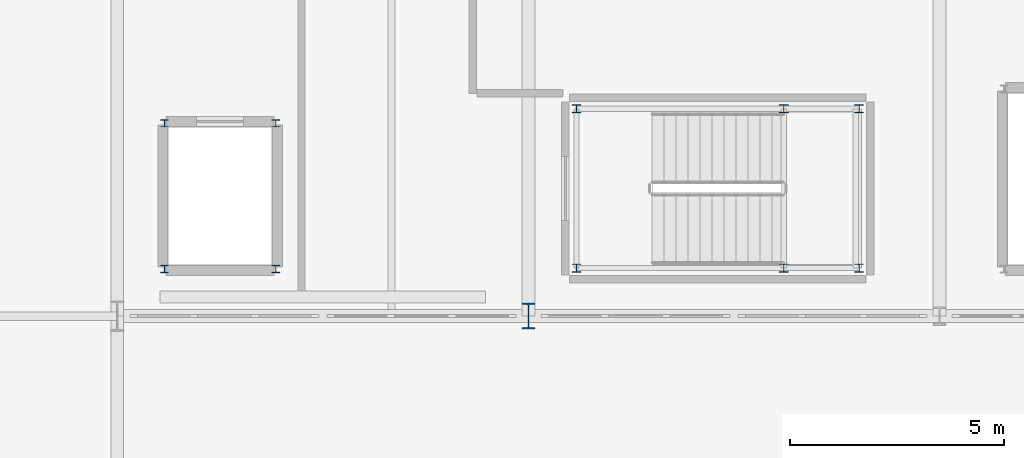
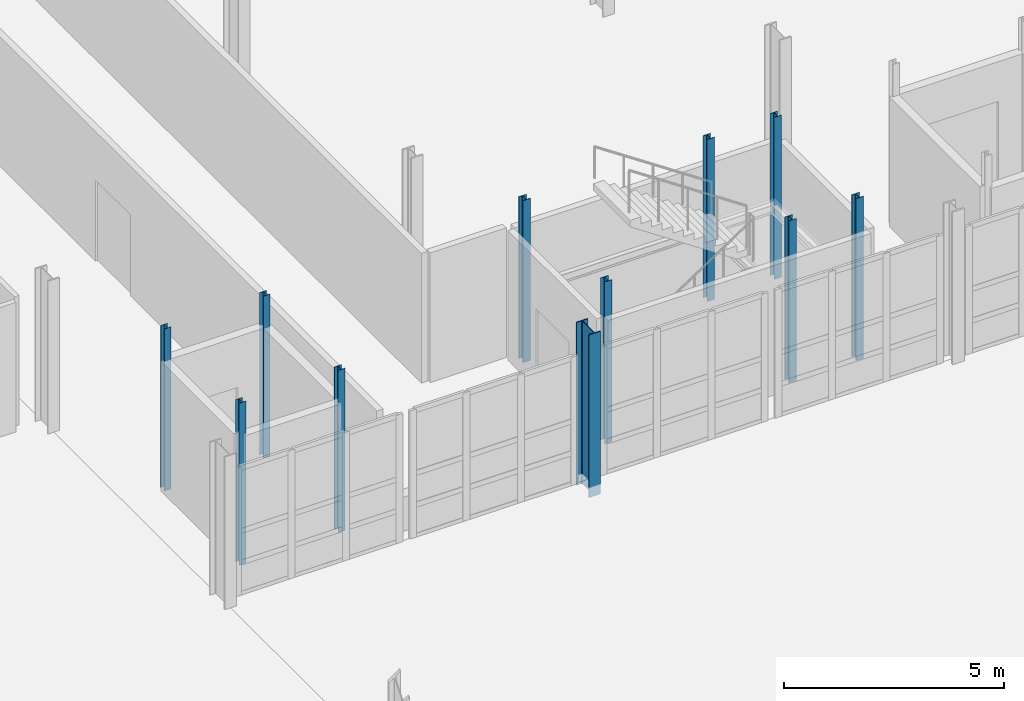
# One storey, part 20 of 78: 11 columns.
"""IFC4 building model written with IfcOpenShell, lengths in metres."""

from ifc_helpers import new_model, si_unit, direction, frame, origin, origin_2d, place, context, subcontext, project, spatial, i_section, extrude, material, material_profile, profile_set, type_object, element, save


model = new_model("IFC4")

# Units and contexts
model_context = context("Model", 3, precision=1e-05, world=origin(), true_north=direction((0.0, 1.0)))
body_context = subcontext(model_context, "Body", "Model", "MODEL_VIEW")
ifc_project = project(units=[si_unit("LENGTHUNIT", "METRE"), si_unit("AREAUNIT", "SQUARE_METRE"), si_unit("VOLUMEUNIT", "CUBIC_METRE"), si_unit("PLANEANGLEUNIT", "RADIAN"), si_unit("MASSUNIT", "GRAM", prefix="KILO")], contexts=[model_context])

# Site, building, storey
site_placement = place(None, origin())
site = spatial("IfcSite", under=ifc_project, at=site_placement, CompositionType="ELEMENT")
building_placement = place(site_placement, origin())
building = spatial("IfcBuilding", under=site, at=building_placement, Name="Alderhovde Museum", CompositionType="ELEMENT")
storey_placement = place(building_placement, origin())
storey = spatial("IfcBuildingStorey", under=building, at=storey_placement, Name="L00", CompositionType="ELEMENT", Elevation=0.0)

# Columns
ifc_material_1 = material(Name="Steel S355J2", Category="steel")
ifc_material_profile_1 = material_profile(ifc_material_1, i_section(OverallWidth=0.179931640625, OverallDepth=0.1708984375, WebThickness=0.006103515625, FlangeThickness=0.009521484375, FilletRadius=0.014892578125, at=origin_2d()), Name="HEA 180")
ifc_profile_set_1 = profile_set([ifc_material_profile_1], Name="Steel S355J2")
column_type_1 = type_object("IfcColumnType", Name="COL-HEA180", PredefinedType="COLUMN", material=ifc_profile_set_1)
for number, where, z_axis, x_axis, name in (
    (1, (116.300048828125, 73.10009765625, 0.0), (0.0, 0.0, 1.0), (1.0, 0.0, 0.0), "L00 Lift PL-03 Shaft Column 1"),
    (2, (118.89990234375, 73.10009765625, 0.0), (0.0, 0.0, 1.0), (1.0, 0.0, 0.0), "L00 Lift PL-03 Shaft Column 2"),
    (3, (118.89990234375, 76.5, 0.0), (0.0, 0.0, 1.0), (1.0, 0.0, 0.0), "L00 Lift PL-03 Shaft Column 3"),
    (4, (116.300048828125, 76.5, 0.0), (0.0, 0.0, 1.0), (1.0, 0.0, 0.0), "L00 Lift PL-03 Shaft Column 4"),
):
    element("IfcColumn", number, at=place(storey_placement, frame(where, z_axis=z_axis, x_axis=x_axis)), inside=storey, type_object=column_type_1, Name=name, PredefinedType="COLUMN", context=body_context, shape_type="SweptSolid", body=[
        extrude(i_section(OverallWidth=0.179931640625, OverallDepth=0.1708984375, WebThickness=0.006103515625, FlangeThickness=0.009521484375, FilletRadius=0.014892578125, at=origin_2d()), origin(), (0.0, 0.0, 1.0), 4.5),
    ])
ifc_material_2 = material(Name="Steel S355J2", Category="steel")
ifc_material_profile_2 = material_profile(ifc_material_2, i_section(OverallWidth=0.199951171875, OverallDepth=0.18994140625, WebThickness=0.006591796875, FlangeThickness=0.010009765625, FilletRadius=0.01806640625, at=origin_2d()), Name="HEA 200")
ifc_profile_set_2 = profile_set([ifc_material_profile_2], Name="Steel S355J2")
column_type_2 = type_object("IfcColumnType", Name="COL-HEA200", PredefinedType="COLUMN", material=ifc_profile_set_2)
for number, where, z_axis, x_axis, name in (
    (5, (125.919921875, 73.1201171875, 0.0), (0.0, 0.0, 1.0), (1.0, 0.0, 0.0), "L00 Stair ST4 Shaft Column 1"),
    (6, (132.52001953125, 73.1201171875, 0.0), (0.0, 0.0, 1.0), (1.0, 0.0, 0.0), "L00 Stair ST4 Shaft Column 2"),
    (7, (132.52001953125, 76.840087890625, 0.0), (0.0, 0.0, 1.0), (1.0, 0.0, 0.0), "L00 Stair ST4 Shaft Column 3"),
    (8, (125.919921875, 76.840087890625, 0.0), (0.0, 0.0, 1.0), (1.0, 0.0, 0.0), "L00 Stair ST4 Shaft Column 4"),
    (9, (130.760009765625, 73.1201171875, 0.0), (0.0, 0.0, 1.0), (1.0, 0.0, 0.0), "L00 Stair ST4 Shaft Column 5"),
    (10, (130.760009765625, 76.840087890625, 0.0), (0.0, 0.0, 1.0), (1.0, 0.0, 0.0), "L00 Stair ST4 Shaft Column 6"),
):
    element("IfcColumn", number, at=place(storey_placement, frame(where, z_axis=z_axis, x_axis=x_axis)), inside=storey, type_object=column_type_2, Name=name, PredefinedType="COLUMN", context=body_context, shape_type="SweptSolid", body=[
        extrude(i_section(OverallWidth=0.199951171875, OverallDepth=0.18994140625, WebThickness=0.006591796875, FlangeThickness=0.010009765625, FilletRadius=0.01806640625, at=origin_2d()), origin(), (0.0, 0.0, 1.0), 4.5),
    ])
ifc_material_3 = material(Name="Steel S355J2", Category="steel")
ifc_material_profile_3 = material_profile(ifc_material_3, i_section(OverallWidth=0.300048828125, OverallDepth=0.60009765625, WebThickness=0.015380859375, FlangeThickness=0.030029296875, FilletRadius=0.027099609375, at=origin_2d()), Name="HEB 600")
ifc_profile_set_3 = profile_set([ifc_material_profile_3], Name="Steel S355J2")
column_type_3 = type_object("IfcColumnType", Name="COL-HEB600", PredefinedType="COLUMN", material=ifc_profile_set_3)
column_placement = place(storey_placement, frame((124.800048828125, 72.0, -0.280029296875), z_axis=(0.0, 0.0, 1.0), x_axis=(1.0, 0.0, 0.0)))
element("IfcColumn", 11, at=column_placement, inside=storey, type_object=column_type_3, Name="L00 Column (124.8, 72.0)", PredefinedType="COLUMN", context=body_context, shape_type="SweptSolid", body=[
    extrude(i_section(OverallWidth=0.300048828125, OverallDepth=0.60009765625, WebThickness=0.015380859375, FlangeThickness=0.030029296875, FilletRadius=0.027099609375, at=origin_2d()), origin(), (0.0, 0.0, 1.0), 4.52001953125),
])

save(model, "model.ifc")
